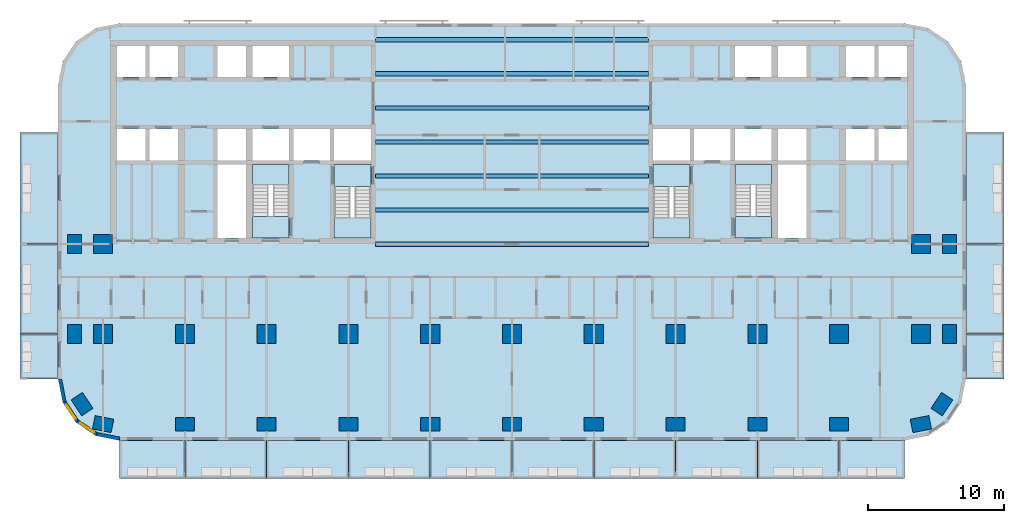
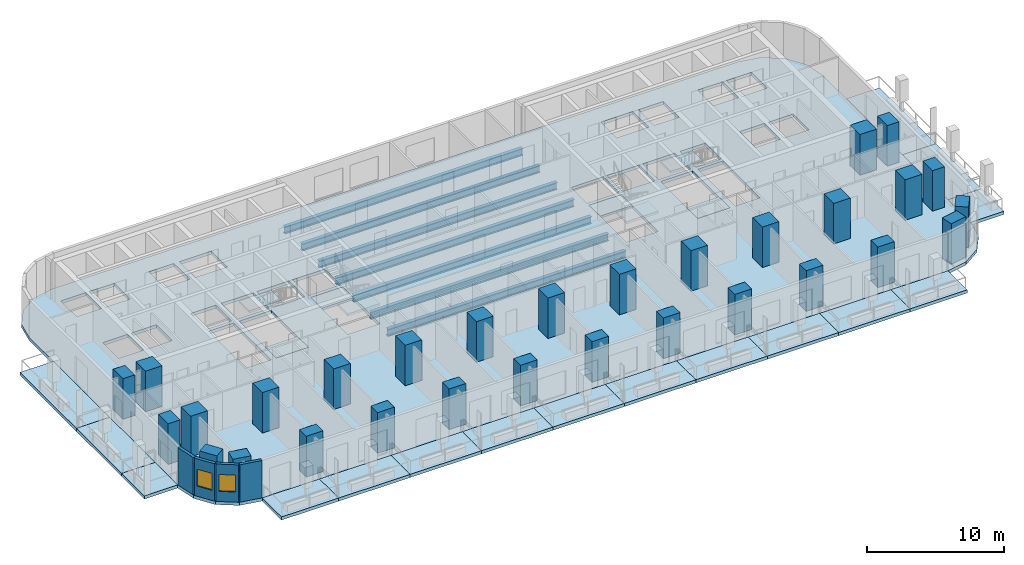
# One storey, part 1 of 15: 30 columns, 25 slabs, 7 beams, 4 walls, 2 windows, 2 openings, 4 elements without a shape of their own.
"""IFC4 building model written with IfcOpenShell, lengths in metres."""

import ifcopenshell
import ifcopenshell.guid

model = None  # the IFC model being written
_history = None  # IfcOwnerHistory: only IFC2X3 demands one
_inside = {}  # id of a spatial element -> (the spatial element, [elements in it])
_under = {}  # id of a project, library or spatial element -> (it, [spatial elements below it])
_declared = {}  # id of a project -> (the project, [libraries it declares])
_typed = {}  # id of a type object -> (the type object, [elements of that type])
_made_of = {}  # id of a material, layer set ... -> (it, [elements and type objects made of it])


def new_model(schema):
    """Start an empty IFC model of exactly this schema.

    Asked for "IFC4X3", IfcOpenShell would pick the latest addendum, in which some entities
    have other attributes; the version numbers below select the first issue.
    IFC2X3 requires an IfcOwnerHistory on every rooted entity: one is made here for all.
    """
    global model, _history
    if schema == "IFC4X3":
        model = ifcopenshell.file(schema_version=(4, 3, 0, 0))
    else:
        model = ifcopenshell.file(schema=schema)
    _inside.clear()
    _under.clear()
    _declared.clear()
    _typed.clear()
    _made_of.clear()
    _history = None
    if model.schema == "IFC2X3":
        org = make("IfcOrganization", Name="unknown")
        user = make(
            "IfcPersonAndOrganization",
            ThePerson=make("IfcPerson", FamilyName="unknown"),
            TheOrganization=org,
        )
        app = make(
            "IfcApplication",
            ApplicationDeveloper=org,
            Version="unknown",
            ApplicationFullName="unknown",
            ApplicationIdentifier="unknown",
        )
        _history = make(
            "IfcOwnerHistory",
            OwningUser=user,
            OwningApplication=app,
            ChangeAction="ADDED",
            CreationDate=0,
        )
    return model


def make(cls, **values):
    """One entity of the class cls with the attributes given. An attribute that is None is left unset."""
    return model.create_entity(
        cls, **{name: value for name, value in values.items() if value is not None}
    )


def rooted(cls, **values):
    """An entity with a GlobalId (a new one), such as an element, a storey or a relation."""
    return make(cls, GlobalId=ifcopenshell.guid.new(), OwnerHistory=_history, **values)


def si_unit(unit_type, name, prefix=None):
    """IfcSIUnit, for example si_unit("LENGTHUNIT", "METRE", prefix="MILLI")."""
    return make("IfcSIUnit", UnitType=unit_type, Prefix=prefix, Name=name)


def assignment(units):
    """IfcUnitAssignment: the units of a project."""
    return None if units is None else make("IfcUnitAssignment", Units=units)


def point(xyz):
    """IfcCartesianPoint."""
    return None if xyz is None else make("IfcCartesianPoint", Coordinates=xyz)


def direction(xyz):
    """IfcDirection."""
    return None if xyz is None else make("IfcDirection", DirectionRatios=xyz)


def frame(location, z_axis=None, x_axis=None):
    """IfcAxis2Placement3D, a coordinate frame: its origin and axes. An axis left out is left unset."""
    return make(
        "IfcAxis2Placement3D",
        Location=point(location),
        Axis=direction(z_axis),
        RefDirection=direction(x_axis),
    )


def frame_2d(location, x_axis=None):
    """IfcAxis2Placement2D, a coordinate frame in the plane: its origin and x axis."""
    return make(
        "IfcAxis2Placement2D", Location=point(location), RefDirection=direction(x_axis)
    )


def origin():
    """The frame at (0, 0, 0) with its axes left unset."""
    return frame((0.0, 0.0, 0.0))


def origin_2d():
    """The frame at (0, 0) in the plane with its x axis left unset."""
    return frame_2d((0.0, 0.0))


def place(relative_to, where):
    """IfcLocalPlacement: puts the frame where relative to a parent placement (None: the world)."""
    return make(
        "IfcLocalPlacement", PlacementRelTo=relative_to, RelativePlacement=where
    )


def context(
    kind, dimensions, precision=None, world=None, true_north=None, identifier=None
):
    """IfcGeometricRepresentationContext, for example the 3D "Model" context."""
    return make(
        "IfcGeometricRepresentationContext",
        ContextIdentifier=identifier,
        ContextType=kind,
        CoordinateSpaceDimension=dimensions,
        Precision=precision,
        WorldCoordinateSystem=world,
        TrueNorth=true_north,
    )


def subcontext(parent, identifier, kind, view, scale=None):
    """IfcGeometricRepresentationSubContext, for example "Body" below "Model"."""
    return make(
        "IfcGeometricRepresentationSubContext",
        ContextIdentifier=identifier,
        ContextType=kind,
        ParentContext=parent,
        TargetScale=scale,
        TargetView=view,
    )


def project(units=None, contexts=None):
    """IfcProject with its units and contexts."""
    return rooted(
        "IfcProject",
        Name="project",
        RepresentationContexts=contexts,
        UnitsInContext=assignment(units),
    )


def spatial(cls, under=None, at=None, **own):
    """A site, building, storey or space (cls), placed at a placement, below another one or the project."""
    s = rooted(cls, ObjectPlacement=at, **own)
    if under is not None:
        _under.setdefault(under.id(), (under, []))[1].append(s)
    return s


def polyline(points):
    """IfcPolyline through the points."""
    return make("IfcPolyline", Points=[point(p) for p in points])


def profile(cls, at=None, kind="AREA", **sizes):
    """A parametric profile (cls). Its sizes go by their IFC names, for example OverallWidth=200.0."""
    return make(cls, ProfileType=kind, Position=at, **sizes)


def rectangle(**sizes):
    """IfcRectangleProfileDef."""
    return profile("IfcRectangleProfileDef", **sizes)


def i_section(**sizes):
    """IfcIShapeProfileDef."""
    return profile("IfcIShapeProfileDef", **sizes)


def outline(outer, holes=None, kind="AREA"):
    """IfcArbitraryClosedProfileDef: a profile drawn as a closed curve; with holes, ...WithVoids."""
    if holes is None:
        return make("IfcArbitraryClosedProfileDef", ProfileType=kind, OuterCurve=outer)
    return make(
        "IfcArbitraryProfileDefWithVoids",
        ProfileType=kind,
        OuterCurve=outer,
        InnerCurves=holes,
    )


def extrude(swept, where, along, depth):
    """IfcExtrudedAreaSolid: the profile swept, set in the frame where, extruded along a direction by depth."""
    return make(
        "IfcExtrudedAreaSolid",
        SweptArea=swept,
        Position=where,
        ExtrudedDirection=direction(along),
        Depth=depth,
    )


def shape(context_of_items, identifier, shape_type, items):
    """IfcShapeRepresentation: the items that make up one representation, for example the "Body"."""
    return make(
        "IfcShapeRepresentation",
        ContextOfItems=context_of_items,
        RepresentationIdentifier=identifier,
        RepresentationType=shape_type,
        Items=items,
    )


def material(Name=None, Category=None):
    """IfcMaterial."""
    return make("IfcMaterial", Name=Name, Category=Category)


def layer(
    of_material, thickness, ventilated=None, Name=None, Category=None, Priority=None
):
    """IfcMaterialLayer: one layer of a wall or slab, of a material (None: an air gap)."""
    return make(
        "IfcMaterialLayer",
        Material=of_material,
        LayerThickness=thickness,
        IsVentilated=ventilated,
        Name=Name,
        Category=Category,
        Priority=Priority,
    )


def layer_set(layers, Name=None):
    """IfcMaterialLayerSet."""
    return make("IfcMaterialLayerSet", MaterialLayers=layers, LayerSetName=Name)


def material_profile(
    of_material, cross_section, Name=None, Category=None, Priority=None
):
    """IfcMaterialProfile: a cross section and its material."""
    return make(
        "IfcMaterialProfile",
        Name=Name,
        Material=of_material,
        Profile=cross_section,
        Priority=Priority,
        Category=Category,
    )


def profile_set(profiles, Name=None, composite=None):
    """IfcMaterialProfileSet."""
    return make(
        "IfcMaterialProfileSet",
        Name=Name,
        MaterialProfiles=profiles,
        CompositeProfile=composite,
    )


def made_of(thing, what):
    """Note that an element or type object is made of a material, layer set ...; save() writes the relation."""
    if what is not None:
        _made_of.setdefault(what.id(), (what, []))[1].append(thing)
    return thing


def type_object(cls, material=None, **own):
    """A type object (cls), such as IfcWallType, which elements share."""
    return made_of(rooted(cls, **own), material)


def element(
    cls,
    number,
    at=None,
    inside=None,
    cuts=None,
    type_object=None,
    material=None,
    context=None,
    identifier="Body",
    shape_type=None,
    held_by="IfcProductDefinitionShape",
    body=None,
    shapes=None,
    **own,
):
    """One element of the class cls, such as IfcWall. Its Tag is "e" and its number.

    at: its placement. inside: the storey or other place that contains it. cuts: it is an
    opening in that element (IfcRelVoidsElement). A single representation is given by context,
    identifier, shape_type and body (its items); several are given by shapes. held_by: the class
    of the entity that holds the representations. save() writes the other relations.
    """
    e = rooted(cls, Tag="e%d" % number, ObjectPlacement=at, **own)
    if body is not None:
        shapes = [shape(context, identifier, shape_type, body)]
    if shapes is not None:
        e.Representation = make(held_by, Representations=shapes)
    if inside is not None:
        _inside.setdefault(inside.id(), (inside, []))[1].append(e)
    if cuts is not None:
        rooted(
            "IfcRelVoidsElement", RelatingBuildingElement=cuts, RelatedOpeningElement=e
        )
    if type_object is not None:
        _typed.setdefault(type_object.id(), (type_object, []))[1].append(e)
    return made_of(e, material)


def fill(opening, filler):
    """IfcRelFillsElement: the door or window that sits in an opening."""
    return rooted(
        "IfcRelFillsElement",
        RelatingOpeningElement=opening,
        RelatedBuildingElement=filler,
    )


def aggregate(whole, parts):
    """IfcRelAggregates: a whole, such as a stair, and the parts it consists of."""
    return rooted("IfcRelAggregates", RelatingObject=whole, RelatedObjects=parts)


def save(model, path):
    """Write the relations noted so far, then the file.

    IfcRelAggregates (storeys below a building ...), IfcRelContainedInSpatialStructure (elements
    in a storey), IfcRelDefinesByType, IfcRelAssociatesMaterial and IfcRelDeclares: one each for
    every whole, place, type object, material and project.
    """
    for whole, parts in _under.values():
        aggregate(whole, parts)
    for where, things in _inside.values():
        rooted(
            "IfcRelContainedInSpatialStructure",
            RelatedElements=things,
            RelatingStructure=where,
        )
    for kind, things in _typed.values():
        rooted("IfcRelDefinesByType", RelatedObjects=things, RelatingType=kind)
    for what, things in _made_of.values():
        rooted("IfcRelAssociatesMaterial", RelatedObjects=things, RelatingMaterial=what)
    for by, libraries in _declared.values():
        rooted("IfcRelDeclares", RelatingContext=by, RelatedDefinitions=libraries)
    model.write(path)


model = new_model("IFC4")

# Units and contexts
model_context = context("Model", 3, precision=1e-05, world=origin(), true_north=direction((0.0, 1.0)))
body_context = subcontext(model_context, "Body", "Model", "MODEL_VIEW")
ifc_project = project(units=[si_unit("LENGTHUNIT", "METRE"), si_unit("AREAUNIT", "SQUARE_METRE"), si_unit("VOLUMEUNIT", "CUBIC_METRE"), si_unit("PLANEANGLEUNIT", "RADIAN"), si_unit("MASSUNIT", "GRAM", prefix="KILO")], contexts=[model_context])

# Site, building, storey
site_placement = place(None, origin())
site = spatial("IfcSite", under=ifc_project, at=site_placement, CompositionType="ELEMENT")
building_placement = place(site_placement, origin())
building = spatial("IfcBuilding", under=site, at=building_placement, Name="Torana Hotel and Residences", CompositionType="ELEMENT")
storey_placement = place(building_placement, frame((0.0, 0.0, 45.60009765625)))
storey = spatial("IfcBuildingStorey", under=building, at=storey_placement, Name="L10", CompositionType="ELEMENT", Elevation=45.60009765625)

# Columns
ifc_material_1 = material(Name="Concrete C70/85", Category="concrete")
ifc_material_profile_1 = material_profile(ifc_material_1, rectangle(XDim=1.39990234375, YDim=1.0, at=origin_2d()), Name="RC 1400x1000")
ifc_profile_set_1 = profile_set([ifc_material_profile_1], Name="Concrete C70/85")
column_type_1 = type_object("IfcColumnType", Name="COLUMN RC 1400x1000 C70/85", PredefinedType="COLUMN", material=ifc_profile_set_1)
for number, where, z_axis, x_axis, name in (
    (1, (-32.10009765625, -21.60009765625, 0.0), (0.0, 0.0, 1.0), (0.0, 1.0, 0.0), "Column L10"),
    (2, (-32.10009765625, -15.0, 0.0), (0.0, 0.0, 1.0), (0.0, 1.0, 0.0), "Column L10"),
    (3, (-31.5439453125, -26.73291015625, 0.0), (0.0, 0.0, 1.0), (-0.555584744817, 0.831459915646, 0.0), "Column L10"),
    (4, (-30.0, -28.199951171875, 0.0), (0.0, 0.0, 1.0), (-0.980792089743, 0.195056086032, 0.0), "Column L10"),
    (5, (-24.0, -28.199951171875, 0.0), (0.0, 0.0, 1.0), (1.0, 0.0, 0.0), "Column L10"),
    (6, (-18.0, -28.199951171875, 0.0), (0.0, 0.0, 1.0), (1.0, 0.0, 0.0), "Column L10"),
    (7, (-12.0, -28.199951171875, 0.0), (0.0, 0.0, 1.0), (1.0, 0.0, 0.0), "Column L10"),
    (8, (-6.0, -28.199951171875, 0.0), (0.0, 0.0, 1.0), (1.0, 0.0, 0.0), "Column L10"),
    (9, (0.0, -28.199951171875, 0.0), (0.0, 0.0, 1.0), (1.0, 0.0, 0.0), "Column L10"),
    (10, (6.0, -28.199951171875, 0.0), (0.0, 0.0, 1.0), (1.0, 0.0, 0.0), "Column L10"),
    (11, (12.0, -28.199951171875, 0.0), (0.0, 0.0, 1.0), (1.0, 0.0, 0.0), "Column L10"),
    (12, (18.0, -28.199951171875, 0.0), (0.0, 0.0, 1.0), (1.0, 0.0, 0.0), "Column L10"),
    (13, (24.0, -28.199951171875, 0.0), (0.0, 0.0, 1.0), (1.0, 0.0, 0.0), "Column L10"),
    (14, (30.0, -28.199951171875, 0.0), (0.0, 0.0, 1.0), (0.980792089743, 0.195056086032, 0.0), "Column L10"),
    (15, (31.5439453125, -26.73291015625, 0.0), (0.0, 0.0, 1.0), (0.555584744817, 0.831459915646, 0.0), "Column L10"),
    (16, (32.10009765625, -21.60009765625, 0.0), (0.0, 0.0, 1.0), (0.0, 1.0, 0.0), "Column L10"),
    (17, (32.10009765625, -15.0, 0.0), (0.0, 0.0, 1.0), (0.0, 1.0, 0.0), "Column L10"),
):
    element("IfcColumn", number, at=place(storey_placement, frame(where, z_axis=z_axis, x_axis=x_axis)), inside=storey, type_object=column_type_1, Name=name, PredefinedType="COLUMN", context=body_context, shape_type="SweptSolid", body=[
        extrude(rectangle(XDim=1.39990234375, YDim=1.0, at=origin_2d()), origin(), (0.0, 0.0, 1.0), 3.599853515625),
    ])
ifc_material_2 = material(Name="Concrete C70/85", Category="concrete")
ifc_material_profile_2 = material_profile(ifc_material_2, rectangle(XDim=1.39990234375, YDim=1.39990234375, at=origin_2d()), Name="RC 1400x1400")
ifc_profile_set_2 = profile_set([ifc_material_profile_2], Name="Concrete C70/85")
column_type_2 = type_object("IfcColumnType", Name="COLUMN RC 1400x1400 C70/85", PredefinedType="COLUMN", material=ifc_profile_set_2)
for number, where, z_axis, x_axis, name in (
    (18, (-30.0, -21.60009765625, 0.0), (0.0, 0.0, 1.0), (1.0, 0.0, 0.0), "Column L10"),
    (19, (-30.0, -15.0, 0.0), (0.0, 0.0, 1.0), (1.0, 0.0, 0.0), "Column L10"),
    (20, (-24.0, -21.60009765625, 0.0), (0.0, 0.0, 1.0), (1.0, 0.0, 0.0), "Column L10"),
    (21, (-18.0, -21.60009765625, 0.0), (0.0, 0.0, 1.0), (1.0, 0.0, 0.0), "Column L10"),
    (22, (-12.0, -21.60009765625, 0.0), (0.0, 0.0, 1.0), (1.0, 0.0, 0.0), "Column L10"),
    (23, (-6.0, -21.60009765625, 0.0), (0.0, 0.0, 1.0), (1.0, 0.0, 0.0), "Column L10"),
    (24, (0.0, -21.60009765625, 0.0), (0.0, 0.0, 1.0), (1.0, 0.0, 0.0), "Column L10"),
    (25, (6.0, -21.60009765625, 0.0), (0.0, 0.0, 1.0), (1.0, 0.0, 0.0), "Column L10"),
    (26, (12.0, -21.60009765625, 0.0), (0.0, 0.0, 1.0), (1.0, 0.0, 0.0), "Column L10"),
    (27, (18.0, -21.60009765625, 0.0), (0.0, 0.0, 1.0), (1.0, 0.0, 0.0), "Column L10"),
    (28, (24.0, -21.60009765625, 0.0), (0.0, 0.0, 1.0), (1.0, 0.0, 0.0), "Column L10"),
    (29, (30.0, -21.60009765625, 0.0), (0.0, 0.0, 1.0), (1.0, 0.0, 0.0), "Column L10"),
    (30, (30.0, -15.0, 0.0), (0.0, 0.0, 1.0), (1.0, 0.0, 0.0), "Column L10"),
):
    element("IfcColumn", number, at=place(storey_placement, frame(where, z_axis=z_axis, x_axis=x_axis)), inside=storey, type_object=column_type_2, Name=name, PredefinedType="COLUMN", context=body_context, shape_type="SweptSolid", body=[
        extrude(rectangle(XDim=1.39990234375, YDim=1.39990234375, at=origin_2d()), origin(), (0.0, 0.0, 1.0), 3.599853515625),
    ])

# Beams
ifc_material_3 = material(Name="Steel S355", Category="steel")
ifc_material_profile_3 = material_profile(ifc_material_3, i_section(OverallWidth=0.311279296875, OverallDepth=0.6357421875, WebThickness=0.018310546875, FlangeThickness=0.031494140625, FilletRadius=0.0166015625, at=origin_2d()), Name="610x305x238 UB")
ifc_profile_set_3 = profile_set([ifc_material_profile_3], Name="Steel S355")
beam_type = type_object("IfcBeamType", Name="STEEL GIRDER 610x305x238 UB", PredefinedType="BEAM", material=ifc_profile_set_3)
for number, where, z_axis, x_axis, name in (
    (31, (-10.0, -15.0, -0.597900390625), (1.0, 0.0, 0.0), (0.0, 1.0, 0.0), "Floor girder"),
    (32, (-10.0, -12.5, -0.597900390625), (1.0, 0.0, 0.0), (0.0, 1.0, 0.0), "Floor girder"),
    (33, (-10.0, -10.0, -0.597900390625), (1.0, 0.0, 0.0), (0.0, 1.0, 0.0), "Floor girder"),
    (34, (-10.0, -7.5, -0.597900390625), (1.0, 0.0, 0.0), (0.0, 1.0, 0.0), "Floor girder"),
    (35, (-10.0, -5.0, -0.597900390625), (1.0, 0.0, 0.0), (0.0, 1.0, 0.0), "Floor girder"),
    (36, (-10.0, -2.5, -0.597900390625), (1.0, 0.0, 0.0), (0.0, 1.0, 0.0), "Floor girder"),
    (37, (-10.0, 0.0, -0.597900390625), (1.0, 0.0, 0.0), (0.0, 1.0, 0.0), "Floor girder"),
):
    element("IfcBeam", number, at=place(storey_placement, frame(where, z_axis=z_axis, x_axis=x_axis)), inside=storey, type_object=beam_type, Name=name, PredefinedType="BEAM", context=body_context, shape_type="SweptSolid", body=[
        extrude(i_section(OverallWidth=0.311279296875, OverallDepth=0.6357421875, WebThickness=0.018310546875, FlangeThickness=0.031494140625, FilletRadius=0.0166015625, at=origin_2d()), origin(), (0.0, 0.0, 1.0), 20.0),
    ])

# Slabs
ifc_material_4 = material(Name="Concrete C40/50", Category="concrete")
ifc_layer_1 = layer(ifc_material_4, 0.280029296875)
ifc_layer_set_1 = layer_set([ifc_layer_1], Name="BAL1 BALCONY SLAB 280")
slab_type_1 = type_object("IfcSlabType", Name="BAL1 BALCONY SLAB 280", PredefinedType="USERDEFINED", material=ifc_layer_set_1)
slab_1_placement = place(storey_placement, frame((0.0, 0.0, -0.280029296875)))
element("IfcSlab", 38, at=slab_1_placement, inside=storey, type_object=slab_type_1, Name="Balcony 01", ObjectType="BALCONY", PredefinedType="USERDEFINED", context=body_context, shape_type="SweptSolid", body=[
    extrude(outline(polyline([(-28.800048828125, -32.199951171875), (-24.0, -32.199951171875), (-24.0, -29.39990234375), (-28.800048828125, -29.39990234375), (-28.800048828125, -32.199951171875)])), origin(), (0.0, 0.0, 1.0), 0.280029296875),
])
slab_2_placement = place(storey_placement, frame((0.0, 0.0, -0.280029296875)))
element("IfcSlab", 39, at=slab_2_placement, inside=storey, type_object=slab_type_1, Name="Balcony 02", ObjectType="BALCONY", PredefinedType="USERDEFINED", context=body_context, shape_type="SweptSolid", body=[
    extrude(outline(polyline([(-24.0, -32.199951171875), (-18.0, -32.199951171875), (-18.0, -29.39990234375), (-24.0, -29.39990234375), (-24.0, -32.199951171875)])), origin(), (0.0, 0.0, 1.0), 0.280029296875),
])
slab_3_placement = place(storey_placement, frame((0.0, 0.0, -0.280029296875)))
element("IfcSlab", 40, at=slab_3_placement, inside=storey, type_object=slab_type_1, Name="Balcony 03", ObjectType="BALCONY", PredefinedType="USERDEFINED", context=body_context, shape_type="SweptSolid", body=[
    extrude(outline(polyline([(-18.0, -32.199951171875), (-12.0, -32.199951171875), (-12.0, -29.39990234375), (-18.0, -29.39990234375), (-18.0, -32.199951171875)])), origin(), (0.0, 0.0, 1.0), 0.280029296875),
])
slab_4_placement = place(storey_placement, frame((0.0, 0.0, -0.280029296875)))
element("IfcSlab", 41, at=slab_4_placement, inside=storey, type_object=slab_type_1, Name="Balcony 04", ObjectType="BALCONY", PredefinedType="USERDEFINED", context=body_context, shape_type="SweptSolid", body=[
    extrude(outline(polyline([(-12.0, -32.199951171875), (-6.0, -32.199951171875), (-6.0, -29.39990234375), (-12.0, -29.39990234375), (-12.0, -32.199951171875)])), origin(), (0.0, 0.0, 1.0), 0.280029296875),
])
slab_5_placement = place(storey_placement, frame((0.0, 0.0, -0.280029296875)))
element("IfcSlab", 42, at=slab_5_placement, inside=storey, type_object=slab_type_1, Name="Balcony 05", ObjectType="BALCONY", PredefinedType="USERDEFINED", context=body_context, shape_type="SweptSolid", body=[
    extrude(outline(polyline([(-6.0, -32.199951171875), (0.0, -32.199951171875), (0.0, -29.39990234375), (-6.0, -29.39990234375), (-6.0, -32.199951171875)])), origin(), (0.0, 0.0, 1.0), 0.280029296875),
])
slab_6_placement = place(storey_placement, frame((0.0, 0.0, -0.280029296875)))
element("IfcSlab", 43, at=slab_6_placement, inside=storey, type_object=slab_type_1, Name="Balcony 06", ObjectType="BALCONY", PredefinedType="USERDEFINED", context=body_context, shape_type="SweptSolid", body=[
    extrude(outline(polyline([(0.0, -32.199951171875), (6.0, -32.199951171875), (6.0, -29.39990234375), (0.0, -29.39990234375), (0.0, -32.199951171875)])), origin(), (0.0, 0.0, 1.0), 0.280029296875),
])
slab_7_placement = place(storey_placement, frame((0.0, 0.0, -0.280029296875)))
element("IfcSlab", 44, at=slab_7_placement, inside=storey, type_object=slab_type_1, Name="Balcony 07", ObjectType="BALCONY", PredefinedType="USERDEFINED", context=body_context, shape_type="SweptSolid", body=[
    extrude(outline(polyline([(6.0, -32.199951171875), (12.0, -32.199951171875), (12.0, -29.39990234375), (6.0, -29.39990234375), (6.0, -32.199951171875)])), origin(), (0.0, 0.0, 1.0), 0.280029296875),
])
slab_8_placement = place(storey_placement, frame((0.0, 0.0, -0.280029296875)))
element("IfcSlab", 45, at=slab_8_placement, inside=storey, type_object=slab_type_1, Name="Balcony 08", ObjectType="BALCONY", PredefinedType="USERDEFINED", context=body_context, shape_type="SweptSolid", body=[
    extrude(outline(polyline([(12.0, -32.199951171875), (18.0, -32.199951171875), (18.0, -29.39990234375), (12.0, -29.39990234375), (12.0, -32.199951171875)])), origin(), (0.0, 0.0, 1.0), 0.280029296875),
])
slab_9_placement = place(storey_placement, frame((0.0, 0.0, -0.280029296875)))
element("IfcSlab", 46, at=slab_9_placement, inside=storey, type_object=slab_type_1, Name="Balcony 09", ObjectType="BALCONY", PredefinedType="USERDEFINED", context=body_context, shape_type="SweptSolid", body=[
    extrude(outline(polyline([(18.0, -32.199951171875), (24.0, -32.199951171875), (24.0, -29.39990234375), (18.0, -29.39990234375), (18.0, -32.199951171875)])), origin(), (0.0, 0.0, 1.0), 0.280029296875),
])
slab_10_placement = place(storey_placement, frame((0.0, 0.0, -0.280029296875)))
element("IfcSlab", 47, at=slab_10_placement, inside=storey, type_object=slab_type_1, Name="Balcony 10", ObjectType="BALCONY", PredefinedType="USERDEFINED", context=body_context, shape_type="SweptSolid", body=[
    extrude(outline(polyline([(24.0, -32.199951171875), (28.800048828125, -32.199951171875), (28.800048828125, -29.39990234375), (24.0, -29.39990234375), (24.0, -32.199951171875)])), origin(), (0.0, 0.0, 1.0), 0.280029296875),
])
slab_11_placement = place(storey_placement, frame((0.0, 0.0, -0.280029296875)))
element("IfcSlab", 48, at=slab_11_placement, inside=storey, type_object=slab_type_1, Name="Balcony 11", ObjectType="BALCONY", PredefinedType="USERDEFINED", context=body_context, shape_type="SweptSolid", body=[
    extrude(outline(polyline([(-36.10009765625, -24.89990234375), (-33.300048828125, -24.89990234375), (-33.300048828125, -21.60009765625), (-36.10009765625, -21.60009765625), (-36.10009765625, -24.89990234375)])), origin(), (0.0, 0.0, 1.0), 0.280029296875),
])
slab_12_placement = place(storey_placement, frame((0.0, 0.0, -0.280029296875)))
element("IfcSlab", 49, at=slab_12_placement, inside=storey, type_object=slab_type_1, Name="Balcony 12", ObjectType="BALCONY", PredefinedType="USERDEFINED", context=body_context, shape_type="SweptSolid", body=[
    extrude(outline(polyline([(-36.10009765625, -21.60009765625), (-33.300048828125, -21.60009765625), (-33.300048828125, -15.0), (-36.10009765625, -15.0), (-36.10009765625, -21.60009765625)])), origin(), (0.0, 0.0, 1.0), 0.280029296875),
])
slab_13_placement = place(storey_placement, frame((0.0, 0.0, -0.280029296875)))
element("IfcSlab", 50, at=slab_13_placement, inside=storey, type_object=slab_type_1, Name="Balcony 13", ObjectType="BALCONY", PredefinedType="USERDEFINED", context=body_context, shape_type="SweptSolid", body=[
    extrude(outline(polyline([(-36.10009765625, -15.0), (-33.300048828125, -15.0), (-33.300048828125, -6.800048828125), (-36.10009765625, -6.800048828125), (-36.10009765625, -15.0)])), origin(), (0.0, 0.0, 1.0), 0.280029296875),
])
slab_14_placement = place(storey_placement, frame((0.0, 0.0, -0.280029296875)))
element("IfcSlab", 51, at=slab_14_placement, inside=storey, type_object=slab_type_1, Name="Balcony 14", ObjectType="BALCONY", PredefinedType="USERDEFINED", context=body_context, shape_type="SweptSolid", body=[
    extrude(outline(polyline([(33.300048828125, -24.89990234375), (36.10009765625, -24.89990234375), (36.10009765625, -21.60009765625), (33.300048828125, -21.60009765625), (33.300048828125, -24.89990234375)])), origin(), (0.0, 0.0, 1.0), 0.280029296875),
])
slab_15_placement = place(storey_placement, frame((0.0, 0.0, -0.280029296875)))
element("IfcSlab", 52, at=slab_15_placement, inside=storey, type_object=slab_type_1, Name="Balcony 15", ObjectType="BALCONY", PredefinedType="USERDEFINED", context=body_context, shape_type="SweptSolid", body=[
    extrude(outline(polyline([(33.300048828125, -21.60009765625), (36.10009765625, -21.60009765625), (36.10009765625, -15.0), (33.300048828125, -15.0), (33.300048828125, -21.60009765625)])), origin(), (0.0, 0.0, 1.0), 0.280029296875),
])
slab_16_placement = place(storey_placement, frame((0.0, 0.0, -0.280029296875)))
element("IfcSlab", 53, at=slab_16_placement, inside=storey, type_object=slab_type_1, Name="Balcony 16", ObjectType="BALCONY", PredefinedType="USERDEFINED", context=body_context, shape_type="SweptSolid", body=[
    extrude(outline(polyline([(33.300048828125, -15.0), (36.10009765625, -15.0), (36.10009765625, -6.800048828125), (33.300048828125, -6.800048828125), (33.300048828125, -15.0)])), origin(), (0.0, 0.0, 1.0), 0.280029296875),
])
ifc_material_5 = material(Name="Concrete C40/50", Category="concrete")
ifc_layer_2 = layer(ifc_material_5, 0.280029296875)
ifc_layer_set_2 = layer_set([ifc_layer_2], Name="FLOOR SLAB PT 280")
slab_type_2 = type_object("IfcSlabType", Name="FLOOR SLAB PT 280", PredefinedType="FLOOR", material=ifc_layer_set_2)
slab_17_placement = place(storey_placement, frame((0.0, 0.0, -0.280029296875)))
element("IfcSlab", 54, at=slab_17_placement, inside=storey, type_object=slab_type_2, Name="Floor slab", PredefinedType="FLOOR", context=body_context, shape_type="SweptSolid", body=[
    extrude(outline(polyline([(33.300048828125, -3.300048828125), (32.95751953125, -1.577880859375), (31.98193359375, -0.117919921875), (30.522216796875, 0.857421875), (28.800048828125, 1.199951171875), (-28.800048828125, 1.199951171875), (-30.522216796875, 0.857421875), (-31.98193359375, -0.117919921875), (-32.95751953125, -1.577880859375), (-33.300048828125, -3.300048828125), (-33.300048828125, -24.89990234375), (-32.95751953125, -26.6220703125), (-31.98193359375, -28.08203125), (-30.522216796875, -29.0576171875), (-28.800048828125, -29.39990234375), (28.800048828125, -29.39990234375), (30.522216796875, -29.0576171875), (31.98193359375, -28.08203125), (32.95751953125, -26.6220703125), (33.300048828125, -24.89990234375), (33.300048828125, -3.300048828125)]), holes=[polyline([(-13.050048828125, -14.550048828125), (-10.35009765625, -14.550048828125), (-10.35009765625, -9.14990234375), (-13.050048828125, -9.14990234375), (-13.050048828125, -14.550048828125)]), polyline([(-19.050048828125, -14.550048828125), (-16.35009765625, -14.550048828125), (-16.35009765625, -9.14990234375), (-19.050048828125, -9.14990234375), (-19.050048828125, -14.550048828125)]), polyline([(-19.050048828125, -2.75), (-16.35009765625, -2.75), (-16.35009765625, -0.449951171875), (-19.050048828125, -0.449951171875), (-19.050048828125, -2.75)]), polyline([(-26.60009765625, -2.75), (-24.5, -2.75), (-24.5, -0.449951171875), (-26.60009765625, -0.449951171875), (-26.60009765625, -2.75)]), polyline([(-29.0, -2.75), (-26.89990234375, -2.75), (-26.89990234375, -0.449951171875), (-29.0, -0.449951171875), (-29.0, -2.75)]), polyline([(-26.60009765625, -8.85009765625), (-24.5, -8.85009765625), (-24.5, -6.550048828125), (-26.60009765625, -6.550048828125), (-26.60009765625, -8.85009765625)]), polyline([(-29.0, -8.85009765625), (-26.89990234375, -8.85009765625), (-26.89990234375, -6.550048828125), (-29.0, -6.550048828125), (-29.0, -8.85009765625)]), polyline([(-21.60009765625, -2.75), (-19.5, -2.75), (-19.5, -0.449951171875), (-21.60009765625, -0.449951171875), (-21.60009765625, -2.75)]), polyline([(-21.60009765625, -8.85009765625), (-19.5, -8.85009765625), (-19.5, -6.550048828125), (-21.60009765625, -6.550048828125), (-21.60009765625, -8.85009765625)]), polyline([(-13.050048828125, -8.85009765625), (-10.35009765625, -8.85009765625), (-10.35009765625, -6.550048828125), (-13.050048828125, -6.550048828125), (-13.050048828125, -8.85009765625)]), polyline([(-16.050048828125, -8.85009765625), (-13.35009765625, -8.85009765625), (-13.35009765625, -6.550048828125), (-16.050048828125, -6.550048828125), (-16.050048828125, -8.85009765625)]), polyline([(-19.050048828125, -8.85009765625), (-16.35009765625, -8.85009765625), (-16.35009765625, -6.550048828125), (-19.050048828125, -6.550048828125), (-19.050048828125, -8.85009765625)]), polyline([(-21.60009765625, -14.550048828125), (-19.5, -14.550048828125), (-19.5, -9.14990234375), (-21.60009765625, -9.14990234375), (-21.60009765625, -14.550048828125)]), polyline([(10.35009765625, -14.550048828125), (13.050048828125, -14.550048828125), (13.050048828125, -9.14990234375), (10.35009765625, -9.14990234375), (10.35009765625, -14.550048828125)]), polyline([(16.35009765625, -14.550048828125), (19.050048828125, -14.550048828125), (19.050048828125, -9.14990234375), (16.35009765625, -9.14990234375), (16.35009765625, -14.550048828125)]), polyline([(16.35009765625, -2.75), (19.050048828125, -2.75), (19.050048828125, -0.449951171875), (16.35009765625, -0.449951171875), (16.35009765625, -2.75)]), polyline([(24.5, -2.75), (26.60009765625, -2.75), (26.60009765625, -0.449951171875), (24.5, -0.449951171875), (24.5, -2.75)]), polyline([(26.89990234375, -2.75), (29.0, -2.75), (29.0, -0.449951171875), (26.89990234375, -0.449951171875), (26.89990234375, -2.75)]), polyline([(24.5, -8.85009765625), (26.60009765625, -8.85009765625), (26.60009765625, -6.550048828125), (24.5, -6.550048828125), (24.5, -8.85009765625)]), polyline([(26.89990234375, -8.85009765625), (29.0, -8.85009765625), (29.0, -6.550048828125), (26.89990234375, -6.550048828125), (26.89990234375, -8.85009765625)]), polyline([(19.5, -2.75), (21.60009765625, -2.75), (21.60009765625, -0.449951171875), (19.5, -0.449951171875), (19.5, -2.75)]), polyline([(19.5, -8.85009765625), (21.60009765625, -8.85009765625), (21.60009765625, -6.550048828125), (19.5, -6.550048828125), (19.5, -8.85009765625)]), polyline([(10.35009765625, -8.85009765625), (13.050048828125, -8.85009765625), (13.050048828125, -6.550048828125), (10.35009765625, -6.550048828125), (10.35009765625, -8.85009765625)]), polyline([(13.35009765625, -8.85009765625), (16.050048828125, -8.85009765625), (16.050048828125, -6.550048828125), (13.35009765625, -6.550048828125), (13.35009765625, -8.85009765625)]), polyline([(16.35009765625, -8.85009765625), (19.050048828125, -8.85009765625), (19.050048828125, -6.550048828125), (16.35009765625, -6.550048828125), (16.35009765625, -8.85009765625)]), polyline([(19.5, -14.550048828125), (21.60009765625, -14.550048828125), (21.60009765625, -9.14990234375), (19.5, -9.14990234375), (19.5, -14.550048828125)])]), origin(), (0.0, 0.0, 1.0), 0.280029296875),
])

# Stair, slabs
ifc_material_6 = material(Name="Concrete C40/50 precast", Category="concrete")
stair_type_1 = type_object("IfcStairType", Name="STAIR ST1 HALF TURN 1200", PredefinedType="HALF_TURN_STAIR", material=ifc_material_6)
stair_1_placement = place(storey_placement, origin())
stair_1 = element("IfcStair", 55, at=stair_1_placement, inside=storey, type_object=stair_type_1, Name="Stair ST1 L10", PredefinedType="HALF_TURN_STAIR")
ifc_material_7 = material(Name="Concrete C40/50 precast", Category="concrete")
ifc_layer_3 = layer(ifc_material_7, 0.199951171875)
ifc_layer_set_3 = layer_set([ifc_layer_3], Name="STAIR LANDING 200")
slab_type_3 = type_object("IfcSlabType", Name="STAIR LANDING 200", PredefinedType="LANDING", material=ifc_layer_set_3)
slab_18_placement = place(storey_placement, frame((0.0, 0.0, 1.599853515625)))
slab_18 = element("IfcSlab", 56, at=slab_18_placement, type_object=slab_type_3, Name="ST1 landing 1", PredefinedType="LANDING", context=body_context, shape_type="SweptSolid", body=[
    extrude(outline(polyline([(-13.050048828125, -14.550048828125), (-10.35009765625, -14.550048828125), (-10.35009765625, -13.090087890625), (-13.050048828125, -13.090087890625), (-13.050048828125, -14.550048828125)])), origin(), (0.0, 0.0, 1.0), 0.199951171875),
])
slab_19_placement = place(storey_placement, frame((0.0, 0.0, -0.2001953125)))
slab_19 = element("IfcSlab", 57, at=slab_19_placement, type_object=slab_type_3, Name="ST1 landing 2", PredefinedType="LANDING", context=body_context, shape_type="SweptSolid", body=[
    extrude(outline(polyline([(-13.050048828125, -10.75), (-10.35009765625, -10.75), (-10.35009765625, -9.14990234375), (-13.050048828125, -9.14990234375), (-13.050048828125, -10.75)])), origin(), (0.0, 0.0, 1.0), 0.2001953125),
])
aggregate(stair_1, [slab_18, slab_19])

ifc_material_8 = material(Name="Concrete C40/50 precast", Category="concrete")
stair_type_2 = type_object("IfcStairType", Name="STAIR ST2 HALF TURN 1200", PredefinedType="HALF_TURN_STAIR", material=ifc_material_8)
stair_2_placement = place(storey_placement, origin())
stair_2 = element("IfcStair", 58, at=stair_2_placement, inside=storey, type_object=stair_type_2, Name="Stair ST2 L10", PredefinedType="HALF_TURN_STAIR")
slab_20_placement = place(storey_placement, frame((0.0, 0.0, 1.599853515625)))
slab_20 = element("IfcSlab", 59, at=slab_20_placement, type_object=slab_type_3, Name="ST2 landing 1", PredefinedType="LANDING", context=body_context, shape_type="SweptSolid", body=[
    extrude(outline(polyline([(-19.050048828125, -10.610107421875), (-16.35009765625, -10.610107421875), (-16.35009765625, -9.14990234375), (-19.050048828125, -9.14990234375), (-19.050048828125, -10.610107421875)])), origin(), (0.0, 0.0, 1.0), 0.199951171875),
])
slab_21_placement = place(storey_placement, frame((0.0, 0.0, -0.2001953125)))
slab_21 = element("IfcSlab", 60, at=slab_21_placement, type_object=slab_type_3, Name="ST2 landing 2", PredefinedType="LANDING", context=body_context, shape_type="SweptSolid", body=[
    extrude(outline(polyline([(-19.050048828125, -14.550048828125), (-16.35009765625, -14.550048828125), (-16.35009765625, -12.949951171875), (-19.050048828125, -12.949951171875), (-19.050048828125, -14.550048828125)])), origin(), (0.0, 0.0, 1.0), 0.2001953125),
])
aggregate(stair_2, [slab_20, slab_21])

ifc_material_9 = material(Name="Concrete C40/50 precast", Category="concrete")
stair_type_3 = type_object("IfcStairType", Name="STAIR ST3 HALF TURN 1200", PredefinedType="HALF_TURN_STAIR", material=ifc_material_9)
stair_3_placement = place(storey_placement, origin())
stair_3 = element("IfcStair", 61, at=stair_3_placement, inside=storey, type_object=stair_type_3, Name="Stair ST3 L10", PredefinedType="HALF_TURN_STAIR")
slab_22_placement = place(storey_placement, frame((0.0, 0.0, 1.599853515625)))
slab_22 = element("IfcSlab", 62, at=slab_22_placement, type_object=slab_type_3, Name="ST3 landing 1", PredefinedType="LANDING", context=body_context, shape_type="SweptSolid", body=[
    extrude(outline(polyline([(10.35009765625, -14.550048828125), (13.050048828125, -14.550048828125), (13.050048828125, -13.090087890625), (10.35009765625, -13.090087890625), (10.35009765625, -14.550048828125)])), origin(), (0.0, 0.0, 1.0), 0.199951171875),
])
slab_23_placement = place(storey_placement, frame((0.0, 0.0, -0.2001953125)))
slab_23 = element("IfcSlab", 63, at=slab_23_placement, type_object=slab_type_3, Name="ST3 landing 2", PredefinedType="LANDING", context=body_context, shape_type="SweptSolid", body=[
    extrude(outline(polyline([(10.35009765625, -10.75), (13.050048828125, -10.75), (13.050048828125, -9.14990234375), (10.35009765625, -9.14990234375), (10.35009765625, -10.75)])), origin(), (0.0, 0.0, 1.0), 0.2001953125),
])
aggregate(stair_3, [slab_22, slab_23])

ifc_material_10 = material(Name="Concrete C40/50 precast", Category="concrete")
stair_type_4 = type_object("IfcStairType", Name="STAIR ST4 HALF TURN 1200", PredefinedType="HALF_TURN_STAIR", material=ifc_material_10)
stair_4_placement = place(storey_placement, origin())
stair_4 = element("IfcStair", 64, at=stair_4_placement, inside=storey, type_object=stair_type_4, Name="Stair ST4 L10", PredefinedType="HALF_TURN_STAIR")
slab_24_placement = place(storey_placement, frame((0.0, 0.0, 1.599853515625)))
slab_24 = element("IfcSlab", 65, at=slab_24_placement, type_object=slab_type_3, Name="ST4 landing 1", PredefinedType="LANDING", context=body_context, shape_type="SweptSolid", body=[
    extrude(outline(polyline([(16.35009765625, -10.610107421875), (19.050048828125, -10.610107421875), (19.050048828125, -9.14990234375), (16.35009765625, -9.14990234375), (16.35009765625, -10.610107421875)])), origin(), (0.0, 0.0, 1.0), 0.199951171875),
])
slab_25_placement = place(storey_placement, frame((0.0, 0.0, -0.2001953125)))
slab_25 = element("IfcSlab", 66, at=slab_25_placement, type_object=slab_type_3, Name="ST4 landing 2", PredefinedType="LANDING", context=body_context, shape_type="SweptSolid", body=[
    extrude(outline(polyline([(16.35009765625, -14.550048828125), (19.050048828125, -14.550048828125), (19.050048828125, -12.949951171875), (16.35009765625, -12.949951171875), (16.35009765625, -14.550048828125)])), origin(), (0.0, 0.0, 1.0), 0.2001953125),
])
aggregate(stair_4, [slab_24, slab_25])

# Wall
ifc_material_11 = material(Name="Black aluminium composite panel", Category="aluminium")
ifc_layer_4 = layer(ifc_material_11, 0.00390625, Name="Cladding", Category="cladding")
ifc_material_12 = material(Name="Ventilated air cavity")
ifc_layer_5 = layer(ifc_material_12, 0.0400390625, Name="Ventilated cavity", Category="cavity")
ifc_material_13 = material(Name="Mineral wool insulation")
ifc_layer_6 = layer(ifc_material_13, 0.090087890625, Name="Insulation", Category="insulation")
ifc_material_14 = material(Name="Steel S280GD", Category="steel")
ifc_layer_7 = layer(ifc_material_14, 0.092041015625, Name="Steel stud frame", Category="structure")
ifc_material_15 = material(Name="Fire rated plasterboard")
ifc_layer_8 = layer(ifc_material_15, 0.011962890625, Name="Inner board", Category="finish")
ifc_layer_9 = layer(ifc_material_15, 0.011962890625, Name="Second board", Category="finish")
ifc_layer_set_4 = layer_set([ifc_layer_4, ifc_layer_5, ifc_layer_6, ifc_layer_7, ifc_layer_8, ifc_layer_9], Name="EW1 EXTERNAL WALL BLACK METAL CLAD 250")
wall_type = type_object("IfcWallType", Name="EW1 EXTERNAL WALL BLACK METAL CLAD 250", PredefinedType="SOLIDWALL", material=ifc_layer_set_4)
wall_1_placement = place(storey_placement, frame((-33.172607421875, -24.89990234375, 0.0), z_axis=(0.0, 0.0, 1.0), x_axis=(0.195166572128, -0.980770110232, 0.0)))
element("IfcWall", 67, at=wall_1_placement, inside=storey, type_object=wall_type, Name="External wall L10 e0.10", PredefinedType="SOLIDWALL", context=body_context, shape_type="SweptSolid", body=[
    extrude(rectangle(XDim=1.68115234375, YDim=0.25, at=frame_2d((0.840576171875, 0.0))), origin(), (0.0, 0.0, 1.0), 3.31982421875),
])

# Wall, opening, window
wall_2_placement = place(storey_placement, frame((-32.825927734375, -26.593994140625, 0.0), z_axis=(0.0, 0.0, 1.0), x_axis=(0.55555029066, -0.831482937015, 0.0)))
wall_2 = element("IfcWall", 68, at=wall_2_placement, inside=storey, type_object=wall_type, Name="External wall L10 e0.11", PredefinedType="SOLIDWALL", context=body_context, shape_type="SweptSolid", body=[
    extrude(rectangle(XDim=1.65625, YDim=0.25, at=frame_2d((0.828125, 0.0))), origin(), (0.0, 0.0, 1.0), 3.31982421875),
])
opening_1_placement = place(wall_2_placement, frame((0.228271484375, 0.0, 0.89990234375)))
opening_1 = element("IfcOpeningElement", 69, at=opening_1_placement, cuts=wall_2, Name="Opening W5", PredefinedType="OPENING", context=body_context, shape_type="SweptSolid", body=[
    extrude(rectangle(XDim=1.199951171875, YDim=1.5, at=frame_2d((0.60009765625, 0.75))), frame((0.0, 0.135009765625, 0.0), z_axis=(0.0, -1.0, 0.0), x_axis=(1.0, 0.0, 0.0)), (0.0, 0.0, 1.0), 0.27001953125),
])
ifc_material_16 = material(Name="Dark glass in black aluminium frame", Category="aluminium")
window_type = type_object("IfcWindowType", Name="W5 CORNER FACET WINDOW 1200x1500", PartitioningType="SINGLE_PANEL", PredefinedType="WINDOW", material=ifc_material_16)
window_1_placement = place(opening_1_placement, origin())
window_1 = element("IfcWindow", 70, at=window_1_placement, inside=storey, type_object=window_type, Name="Window L10 e0.11", OverallHeight=1.5, OverallWidth=1.199951171875, PartitioningType="SINGLE_PANEL", PredefinedType="WINDOW", context=body_context, shape_type="SweptSolid", body=[
    extrude(rectangle(XDim=1.199951171875, YDim=1.5, at=frame_2d((0.60009765625, 0.75))), frame((0.0, 0.030029296875, 0.0), z_axis=(0.0, -1.0, 0.0), x_axis=(1.0, 0.0, 0.0)), (0.0, 0.0, 1.0), 0.06005859375),
])
fill(opening_1, window_1)

wall_3_placement = place(storey_placement, frame((-31.87109375, -28.005615234375, 0.0), z_axis=(0.0, 0.0, 1.0), x_axis=(0.831482937015, -0.55555029066, 0.0)))
wall_3 = element("IfcWall", 71, at=wall_3_placement, inside=storey, type_object=wall_type, Name="External wall L10 e0.12", PredefinedType="SOLIDWALL", context=body_context, shape_type="SweptSolid", body=[
    extrude(rectangle(XDim=1.65625, YDim=0.25, at=frame_2d((0.828125, 0.0))), origin(), (0.0, 0.0, 1.0), 3.31982421875),
])
opening_2_placement = place(wall_3_placement, frame((0.228271484375, 0.0, 0.89990234375)))
opening_2 = element("IfcOpeningElement", 72, at=opening_2_placement, cuts=wall_3, Name="Opening W5", PredefinedType="OPENING", context=body_context, shape_type="SweptSolid", body=[
    extrude(rectangle(XDim=1.199951171875, YDim=1.5, at=frame_2d((0.60009765625, 0.75))), frame((0.0, 0.135009765625, 0.0), z_axis=(0.0, -1.0, 0.0), x_axis=(1.0, 0.0, 0.0)), (0.0, 0.0, 1.0), 0.27001953125),
])
window_2_placement = place(opening_2_placement, origin())
window_2 = element("IfcWindow", 73, at=window_2_placement, inside=storey, type_object=window_type, Name="Window L10 e0.12", OverallHeight=1.5, OverallWidth=1.199951171875, PartitioningType="SINGLE_PANEL", PredefinedType="WINDOW", context=body_context, shape_type="SweptSolid", body=[
    extrude(rectangle(XDim=1.199951171875, YDim=1.5, at=frame_2d((0.60009765625, 0.75))), frame((0.0, 0.030029296875, 0.0), z_axis=(0.0, -1.0, 0.0), x_axis=(1.0, 0.0, 0.0)), (0.0, 0.0, 1.0), 0.06005859375),
])
fill(opening_2, window_2)

# Wall
wall_4_placement = place(storey_placement, frame((-30.448974609375, -28.944580078125, 0.0), z_axis=(0.0, 0.0, 1.0), x_axis=(0.980775640221, -0.19513878023, 0.0)))
element("IfcWall", 74, at=wall_4_placement, inside=storey, type_object=wall_type, Name="External wall L10 e0.13", PredefinedType="SOLIDWALL", context=body_context, shape_type="SweptSolid", body=[
    extrude(rectangle(XDim=1.681396484375, YDim=0.25, at=frame_2d((0.8408203125, 0.0))), origin(), (0.0, 0.0, 1.0), 3.31982421875),
])

save(model, "model.ifc")
